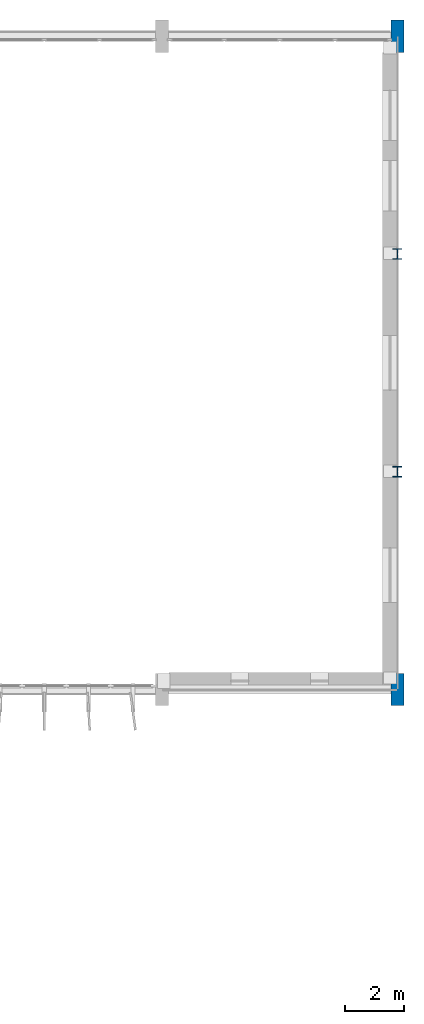
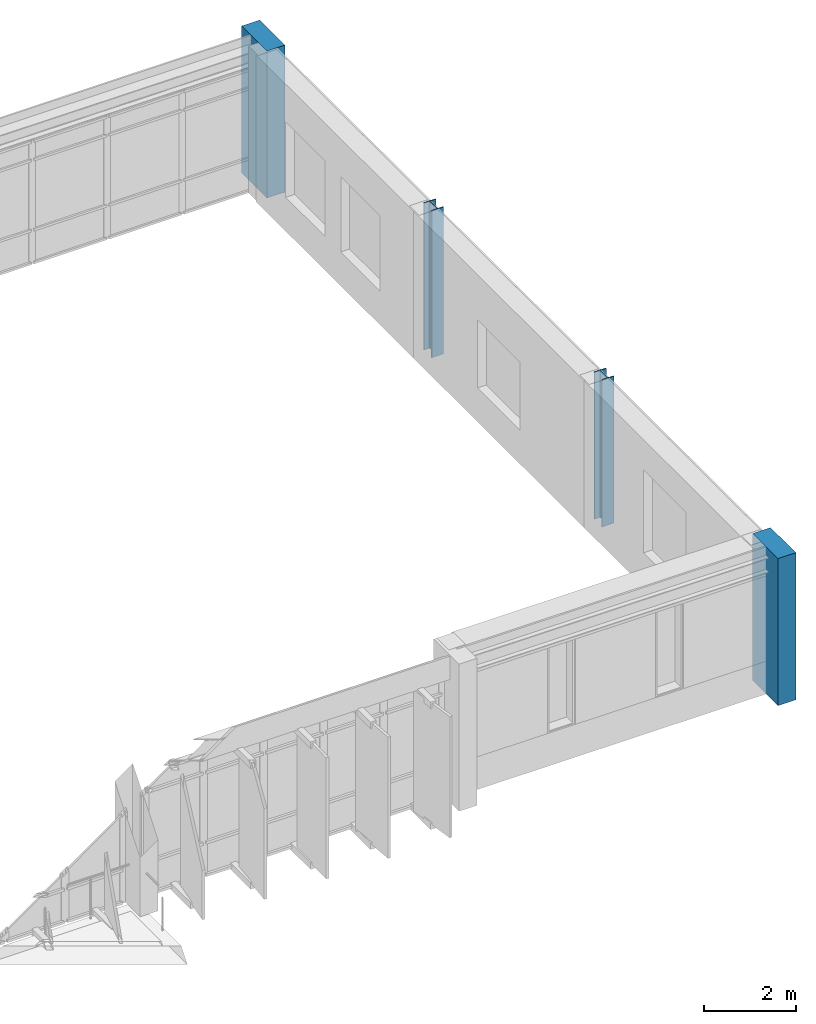
# One storey, part 5 of 45: 4 columns.
"""IFC4 building model written with IfcOpenShell, lengths in metres."""

from ifc_helpers import new_model, si_unit, direction, frame, origin, origin_2d, place, context, subcontext, project, spatial, rectangle, i_section, extrude, material, material_profile, profile_set, type_object, element, save


model = new_model("IFC4")

# Units and contexts
model_context = context("Model", 3, precision=1e-05, world=origin(), true_north=direction((0.0, 1.0)))
body_context = subcontext(model_context, "Body", "Model", "MODEL_VIEW")
ifc_project = project(units=[si_unit("LENGTHUNIT", "METRE"), si_unit("AREAUNIT", "SQUARE_METRE"), si_unit("VOLUMEUNIT", "CUBIC_METRE"), si_unit("PLANEANGLEUNIT", "RADIAN"), si_unit("MASSUNIT", "GRAM", prefix="KILO")], contexts=[model_context])

# Site, building, storey
site_placement = place(None, origin())
site = spatial("IfcSite", under=ifc_project, at=site_placement, CompositionType="ELEMENT")
building_placement = place(site_placement, origin())
building = spatial("IfcBuilding", under=site, at=building_placement, Name="Valkorina Park Police Headquarters", CompositionType="ELEMENT")
storey_placement = place(building_placement, frame((0.0, 0.0, 23.300048828125)))
storey = spatial("IfcBuildingStorey", under=building, at=storey_placement, Name="L06", CompositionType="ELEMENT", Elevation=23.300048828125)

# Columns
ifc_material_1 = material(Name="Concrete C40/50", Category="concrete")
ifc_material_profile_1 = material_profile(ifc_material_1, rectangle(XDim=0.449951171875, YDim=1.10009765625, at=origin_2d()), Name="RC PIER 450x1100")
ifc_profile_set_1 = profile_set([ifc_material_profile_1], Name="Concrete C40/50")
column_type_1 = type_object("IfcColumnType", Name="COL-RC-PIER-EXT", PredefinedType="PILASTER", material=ifc_profile_set_1)
for number, where, z_axis, x_axis, name in (
    (1, (128.800048828125, 59.199951171875, 0.0), (0.0, 0.0, 1.0), (1.0, 0.0, 0.0), "L06 Column 1088"),
    (2, (128.800048828125, 81.39990234375, 0.0), (0.0, 0.0, 1.0), (1.0, 0.0, 0.0), "L06 Column 1091"),
):
    element("IfcColumn", number, at=place(storey_placement, frame(where, z_axis=z_axis, x_axis=x_axis)), inside=storey, type_object=column_type_1, Name=name, PredefinedType="PILASTER", context=body_context, shape_type="SweptSolid", body=[
        extrude(rectangle(XDim=0.449951171875, YDim=1.10009765625, at=origin_2d()), origin(), (0.0, 0.0, 1.0), 3.89990234375),
    ])
ifc_material_2 = material(Name="Steel S355", Category="steel")
ifc_material_profile_2 = material_profile(ifc_material_2, i_section(OverallWidth=0.300048828125, OverallDepth=0.360107421875, WebThickness=0.012451171875, FlangeThickness=0.0224609375, FilletRadius=0.027099609375, at=origin_2d()), Name="HEB 360")
ifc_profile_set_2 = profile_set([ifc_material_profile_2], Name="Steel S355")
column_type_2 = type_object("IfcColumnType", Name="COL-S355-HEB360-EXT", PredefinedType="COLUMN", material=ifc_profile_set_2)
for number, where, z_axis, x_axis, name in (
    (3, (128.800048828125, 66.60009765625, 0.0), (0.0, 0.0, 1.0), (1.0, 0.0, 0.0), "L06 Column 1089"),
    (4, (128.800048828125, 74.0, 0.0), (0.0, 0.0, 1.0), (1.0, 0.0, 0.0), "L06 Column 1090"),
):
    element("IfcColumn", number, at=place(storey_placement, frame(where, z_axis=z_axis, x_axis=x_axis)), inside=storey, type_object=column_type_2, Name=name, PredefinedType="COLUMN", context=body_context, shape_type="SweptSolid", body=[
        extrude(i_section(OverallWidth=0.300048828125, OverallDepth=0.360107421875, WebThickness=0.012451171875, FlangeThickness=0.0224609375, FilletRadius=0.027099609375, at=origin_2d()), origin(), (0.0, 0.0, 1.0), 3.89990234375),
    ])

save(model, "model.ifc")
